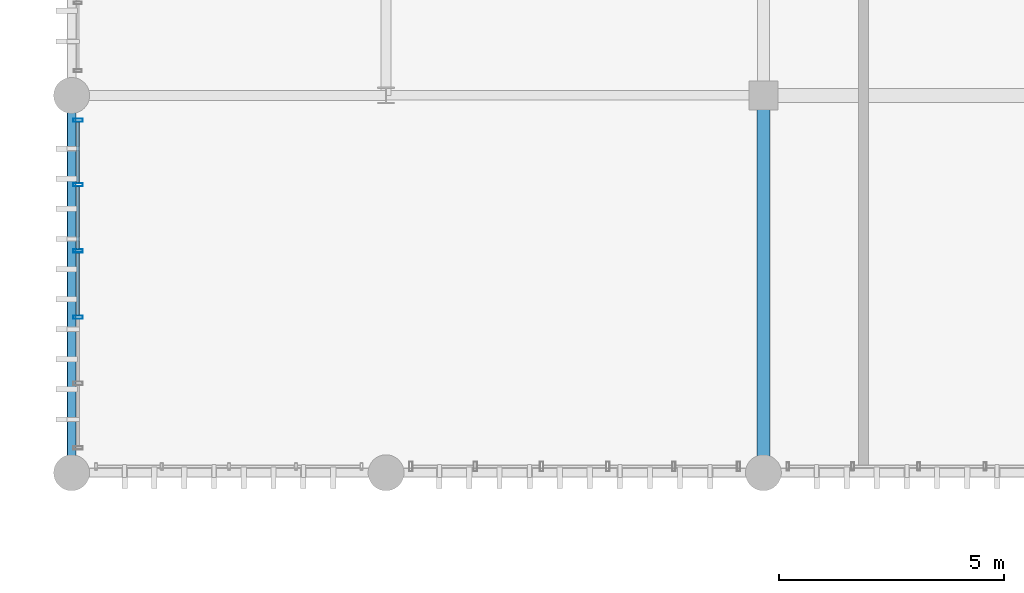
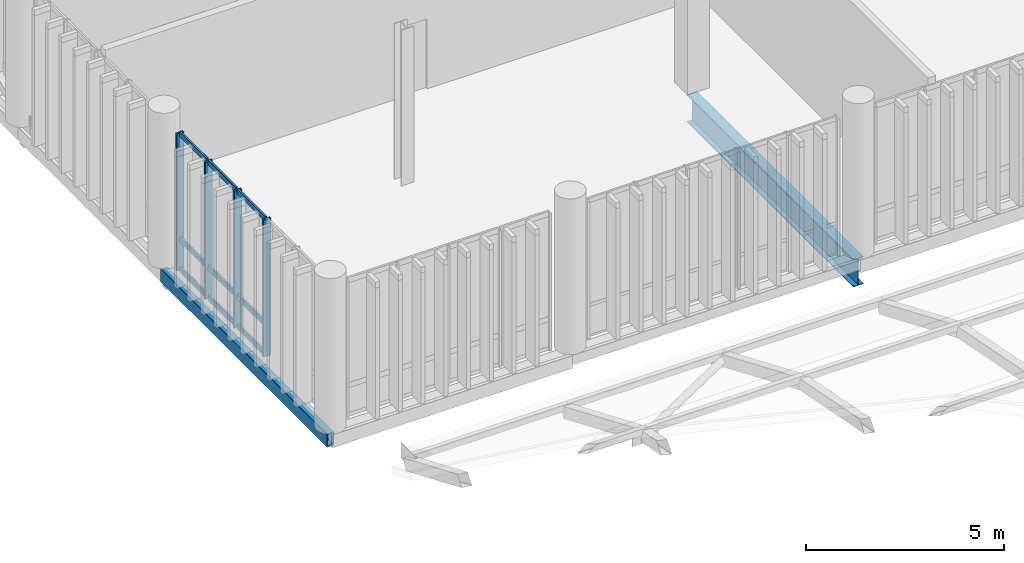
# One storey, part 14 of 94: 13 members, 2 beams, 1 element without a shape of its own.
"""IFC4 building model written with IfcOpenShell, lengths in metres."""

from ifc_helpers import new_model, si_unit, direction, frame, origin_with_axes, origin_2d_with_axis, place, context, subcontext, project, spatial, hollow_rectangle, i_section, extrude, material, material_profile, profile_set, type_object, element, aggregate, save


model = new_model("IFC4")

# Units and contexts
model_context = context("Model", 3, precision=1e-05, world=origin_with_axes(), true_north=direction((0.0, 1.0)))
body_context = subcontext(model_context, "Body", "Model", "MODEL_VIEW")
ifc_project = project(units=[si_unit("LENGTHUNIT", "METRE"), si_unit("AREAUNIT", "SQUARE_METRE"), si_unit("VOLUMEUNIT", "CUBIC_METRE"), si_unit("PLANEANGLEUNIT", "RADIAN"), si_unit("MASSUNIT", "GRAM", prefix="KILO"), si_unit("THERMODYNAMICTEMPERATUREUNIT", "KELVIN")], contexts=[model_context])

# Site, building, storey
site_placement = place(None, origin_with_axes())
site = spatial("IfcSite", under=ifc_project, at=site_placement, CompositionType="ELEMENT")
building_placement = place(site_placement, origin_with_axes())
building = spatial("IfcBuilding", under=site, at=building_placement, Name="Montbau Bow Law Courts", CompositionType="ELEMENT")
storey_placement = place(building_placement, frame((0.0, 0.0, 15.6), z_axis=(0.0, 0.0, 1.0), x_axis=(1.0, 0.0, 0.0)))
storey = spatial("IfcBuildingStorey", under=building, at=storey_placement, Name="L03", CompositionType="ELEMENT", Elevation=15.6)

# Beams
ifc_material_1 = material(Name="Steel CSA G40.21 Grade 350W (350 MPa)", Category="steel")
ifc_material_profile_1 = material_profile(ifc_material_1, i_section(OverallWidth=0.293, OverallDepth=0.846, WebThickness=0.0154, FlangeThickness=0.0244, at=origin_2d_with_axis()), Name="W840X210", Category="Main", Priority=0)
ifc_profile_set_1 = profile_set([ifc_material_profile_1], Name="Steel CSA G40.21 Grade 350W (350 MPa)")
beam_type_1 = type_object("IfcBeamType", Name="B-FLR-02", PredefinedType="BEAM", material=ifc_profile_set_1)
beam_1_placement = place(None, frame((22.2, 30.6, 14.937), z_axis=(0.0, 1.0, 0.0), x_axis=(-1.0, 0.0, 0.0)))
element("IfcBeam", 1, at=beam_1_placement, inside=storey, type_object=beam_type_1, Name="BM-L03-S0606:bm2_0609", PredefinedType="BEAM", context=body_context, shape_type="SweptSolid", body=[
    extrude(i_section(OverallWidth=0.293, OverallDepth=0.846, WebThickness=0.0154, FlangeThickness=0.0244, at=origin_2d_with_axis()), origin_with_axes(), (0.0, 0.0, 1.0), 8.4),
])
ifc_material_2 = material(Name="Steel CSA G40.21 Grade 350WT (350 MPa)", Category="steel")
ifc_material_profile_2 = material_profile(ifc_material_2, hollow_rectangle(XDim=0.203, YDim=0.406, WallThickness=0.0127, InnerFilletRadius=0.0254, OuterFilletRadius=0.0127, at=origin_2d_with_axis()), Name="HSS406X203X13", Category="Main", Priority=0)
ifc_profile_set_2 = profile_set([ifc_material_profile_2], Name="Steel CSA G40.21 Grade 350WT (350 MPa)")
beam_type_2 = type_object("IfcBeamType", Name="B-SPN-01", PredefinedType="SPANDREL", material=ifc_profile_set_2)
beam_2_placement = place(None, frame((6.8, 30.6, 15.157), z_axis=(0.0, 1.0, 0.0), x_axis=(-1.0, 0.0, 0.0)))
element("IfcBeam", 2, at=beam_2_placement, inside=storey, type_object=beam_type_2, Name="SPN-L03-S0601:bm2_0604", PredefinedType="SPANDREL", context=body_context, shape_type="SweptSolid", body=[
    extrude(hollow_rectangle(XDim=0.203, YDim=0.406, WallThickness=0.0127, InnerFilletRadius=0.0254, OuterFilletRadius=0.0127, at=origin_2d_with_axis()), origin_with_axes(), (0.0, 0.0, 1.0), 8.4),
])

# Curtain wall, members
ifc_material_3 = material(Name="Thermally Broken Extruded Aluminium AA 6063-T6", Category="aluminium")
curtain_wall_type = type_object("IfcCurtainWallType", Name="CW-TRC-01", PredefinedType="NOTDEFINED", material=ifc_material_3)
curtain_wall_placement = place(None, frame((6.94, 31.115, 15.6), z_axis=(0.0, 0.0, 1.0), x_axis=(1.0, 0.0, 0.0)))
curtain_wall = element("IfcCurtainWall", 3, at=curtain_wall_placement, inside=storey, type_object=curtain_wall_type, Name="CW-L03-060:cw_0060", PredefinedType="NOTDEFINED")
ifc_material_profile_3 = material_profile(ifc_material_3, hollow_rectangle(XDim=0.075, YDim=0.22, WallThickness=0.005, InnerFilletRadius=0.01, OuterFilletRadius=0.005, at=origin_2d_with_axis()), Name="CWM-220X75", Category="Main", Priority=0)
ifc_profile_set_3 = profile_set([ifc_material_profile_3], Name="Thermally Broken Extruded Aluminium AA 6063-T6")
member_type_1 = type_object("IfcMemberType", Name="M-MUL-01", PredefinedType="MULLION", material=ifc_profile_set_3)
member_1_placement = place(None, frame((6.94, 34.063, 15.6), z_axis=(0.0, 0.0, 1.0), x_axis=(0.0, 1.0, 0.0)))
member_1 = element("IfcMember", 4, at=member_1_placement, type_object=member_type_1, Name="CW-L03-060-M03:cw_0060_M03", PredefinedType="MULLION", context=body_context, shape_type="SweptSolid", body=[
    extrude(hollow_rectangle(XDim=0.075, YDim=0.22, WallThickness=0.005, InnerFilletRadius=0.01, OuterFilletRadius=0.005, at=origin_2d_with_axis()), origin_with_axes(), (0.0, 0.0, 1.0), 4.22),
])
member_2_placement = place(None, frame((6.94, 35.537, 15.6), z_axis=(0.0, 0.0, 1.0), x_axis=(0.0, 1.0, 0.0)))
member_2 = element("IfcMember", 5, at=member_2_placement, type_object=member_type_1, Name="CW-L03-060-M04:cw_0060_M04", PredefinedType="MULLION", context=body_context, shape_type="SweptSolid", body=[
    extrude(hollow_rectangle(XDim=0.075, YDim=0.22, WallThickness=0.005, InnerFilletRadius=0.01, OuterFilletRadius=0.005, at=origin_2d_with_axis()), origin_with_axes(), (0.0, 0.0, 1.0), 4.22),
])
member_3_placement = place(None, frame((6.94, 37.011, 15.6), z_axis=(0.0, 0.0, 1.0), x_axis=(0.0, 1.0, 0.0)))
member_3 = element("IfcMember", 6, at=member_3_placement, type_object=member_type_1, Name="CW-L03-060-M05:cw_0060_M05", PredefinedType="MULLION", context=body_context, shape_type="SweptSolid", body=[
    extrude(hollow_rectangle(XDim=0.075, YDim=0.22, WallThickness=0.005, InnerFilletRadius=0.01, OuterFilletRadius=0.005, at=origin_2d_with_axis()), origin_with_axes(), (0.0, 0.0, 1.0), 4.22),
])
member_4_placement = place(None, frame((6.94, 38.448, 15.6), z_axis=(0.0, 0.0, 1.0), x_axis=(0.0, 1.0, 0.0)))
member_4 = element("IfcMember", 7, at=member_4_placement, type_object=member_type_1, Name="CW-L03-060-M06:cw_0060_M06", PredefinedType="MULLION", context=body_context, shape_type="SweptSolid", body=[
    extrude(hollow_rectangle(XDim=0.075, YDim=0.22, WallThickness=0.005, InnerFilletRadius=0.01, OuterFilletRadius=0.005, at=origin_2d_with_axis()), origin_with_axes(), (0.0, 0.0, 1.0), 4.22),
])
ifc_material_profile_4 = material_profile(ifc_material_3, hollow_rectangle(XDim=0.06, YDim=0.16, WallThickness=0.004, InnerFilletRadius=0.008, OuterFilletRadius=0.004, at=origin_2d_with_axis()), Name="CWT-160X60", Category="Main", Priority=0)
ifc_profile_set_4 = profile_set([ifc_material_profile_4], Name="Thermally Broken Extruded Aluminium AA 6063-T6")
member_type_2 = type_object("IfcMemberType", Name="M-TRN-01", PredefinedType="USERDEFINED", material=ifc_profile_set_4)
member_5_placement = place(None, frame((6.94, 34.102, 15.63), z_axis=(0.0, 1.0, 0.0), x_axis=(-1.0, 0.0, 0.0)))
member_5 = element("IfcMember", 8, at=member_5_placement, type_object=member_type_2, Name="CW-L03-060-T03-1:cw_0060_T03_1", ObjectType="TRANSOM", PredefinedType="USERDEFINED", context=body_context, shape_type="SweptSolid", body=[
    extrude(hollow_rectangle(XDim=0.06, YDim=0.16, WallThickness=0.004, InnerFilletRadius=0.008, OuterFilletRadius=0.004, at=origin_2d_with_axis()), origin_with_axes(), (0.0, 0.0, 1.0), 1.396),
])
member_6_placement = place(None, frame((6.94, 34.102, 16.55), z_axis=(0.0, 1.0, 0.0), x_axis=(-1.0, 0.0, 0.0)))
member_6 = element("IfcMember", 9, at=member_6_placement, type_object=member_type_2, Name="CW-L03-060-T03-2:cw_0060_T03_2", ObjectType="TRANSOM", PredefinedType="USERDEFINED", context=body_context, shape_type="SweptSolid", body=[
    extrude(hollow_rectangle(XDim=0.06, YDim=0.16, WallThickness=0.004, InnerFilletRadius=0.008, OuterFilletRadius=0.004, at=origin_2d_with_axis()), origin_with_axes(), (0.0, 0.0, 1.0), 1.396),
])
member_7_placement = place(None, frame((6.94, 34.102, 19.79), z_axis=(0.0, 1.0, 0.0), x_axis=(-1.0, 0.0, 0.0)))
member_7 = element("IfcMember", 10, at=member_7_placement, type_object=member_type_2, Name="CW-L03-060-T03-3:cw_0060_T03_3", ObjectType="TRANSOM", PredefinedType="USERDEFINED", context=body_context, shape_type="SweptSolid", body=[
    extrude(hollow_rectangle(XDim=0.06, YDim=0.16, WallThickness=0.004, InnerFilletRadius=0.008, OuterFilletRadius=0.004, at=origin_2d_with_axis()), origin_with_axes(), (0.0, 0.0, 1.0), 1.396),
])
member_8_placement = place(None, frame((6.94, 35.576, 15.63), z_axis=(0.0, 1.0, 0.0), x_axis=(-1.0, 0.0, 0.0)))
member_8 = element("IfcMember", 11, at=member_8_placement, type_object=member_type_2, Name="CW-L03-060-T04-1:cw_0060_T04_1", ObjectType="TRANSOM", PredefinedType="USERDEFINED", context=body_context, shape_type="SweptSolid", body=[
    extrude(hollow_rectangle(XDim=0.06, YDim=0.16, WallThickness=0.004, InnerFilletRadius=0.008, OuterFilletRadius=0.004, at=origin_2d_with_axis()), origin_with_axes(), (0.0, 0.0, 1.0), 1.396),
])
member_9_placement = place(None, frame((6.94, 35.576, 16.55), z_axis=(0.0, 1.0, 0.0), x_axis=(-1.0, 0.0, 0.0)))
member_9 = element("IfcMember", 12, at=member_9_placement, type_object=member_type_2, Name="CW-L03-060-T04-2:cw_0060_T04_2", ObjectType="TRANSOM", PredefinedType="USERDEFINED", context=body_context, shape_type="SweptSolid", body=[
    extrude(hollow_rectangle(XDim=0.06, YDim=0.16, WallThickness=0.004, InnerFilletRadius=0.008, OuterFilletRadius=0.004, at=origin_2d_with_axis()), origin_with_axes(), (0.0, 0.0, 1.0), 1.396),
])
member_10_placement = place(None, frame((6.94, 35.576, 19.79), z_axis=(0.0, 1.0, 0.0), x_axis=(-1.0, 0.0, 0.0)))
member_10 = element("IfcMember", 13, at=member_10_placement, type_object=member_type_2, Name="CW-L03-060-T04-3:cw_0060_T04_3", ObjectType="TRANSOM", PredefinedType="USERDEFINED", context=body_context, shape_type="SweptSolid", body=[
    extrude(hollow_rectangle(XDim=0.06, YDim=0.16, WallThickness=0.004, InnerFilletRadius=0.008, OuterFilletRadius=0.004, at=origin_2d_with_axis()), origin_with_axes(), (0.0, 0.0, 1.0), 1.396),
])
member_11_placement = place(None, frame((6.94, 37.05, 15.63), z_axis=(0.0, 1.0, 0.0), x_axis=(-1.0, 0.0, 0.0)))
member_11 = element("IfcMember", 14, at=member_11_placement, type_object=member_type_2, Name="CW-L03-060-T05-1:cw_0060_T05_1", ObjectType="TRANSOM", PredefinedType="USERDEFINED", context=body_context, shape_type="SweptSolid", body=[
    extrude(hollow_rectangle(XDim=0.06, YDim=0.16, WallThickness=0.004, InnerFilletRadius=0.008, OuterFilletRadius=0.004, at=origin_2d_with_axis()), origin_with_axes(), (0.0, 0.0, 1.0), 1.359),
])
member_12_placement = place(None, frame((6.94, 37.05, 16.55), z_axis=(0.0, 1.0, 0.0), x_axis=(-1.0, 0.0, 0.0)))
member_12 = element("IfcMember", 15, at=member_12_placement, type_object=member_type_2, Name="CW-L03-060-T05-2:cw_0060_T05_2", ObjectType="TRANSOM", PredefinedType="USERDEFINED", context=body_context, shape_type="SweptSolid", body=[
    extrude(hollow_rectangle(XDim=0.06, YDim=0.16, WallThickness=0.004, InnerFilletRadius=0.008, OuterFilletRadius=0.004, at=origin_2d_with_axis()), origin_with_axes(), (0.0, 0.0, 1.0), 1.359),
])
member_13_placement = place(None, frame((6.94, 37.05, 19.79), z_axis=(0.0, 1.0, 0.0), x_axis=(-1.0, 0.0, 0.0)))
member_13 = element("IfcMember", 16, at=member_13_placement, type_object=member_type_2, Name="CW-L03-060-T05-3:cw_0060_T05_3", ObjectType="TRANSOM", PredefinedType="USERDEFINED", context=body_context, shape_type="SweptSolid", body=[
    extrude(hollow_rectangle(XDim=0.06, YDim=0.16, WallThickness=0.004, InnerFilletRadius=0.008, OuterFilletRadius=0.004, at=origin_2d_with_axis()), origin_with_axes(), (0.0, 0.0, 1.0), 1.359),
])
aggregate(curtain_wall, [member_1, member_2, member_3, member_4, member_5, member_6, member_7, member_8, member_9, member_10, member_11, member_12, member_13])

save(model, "model.ifc")
